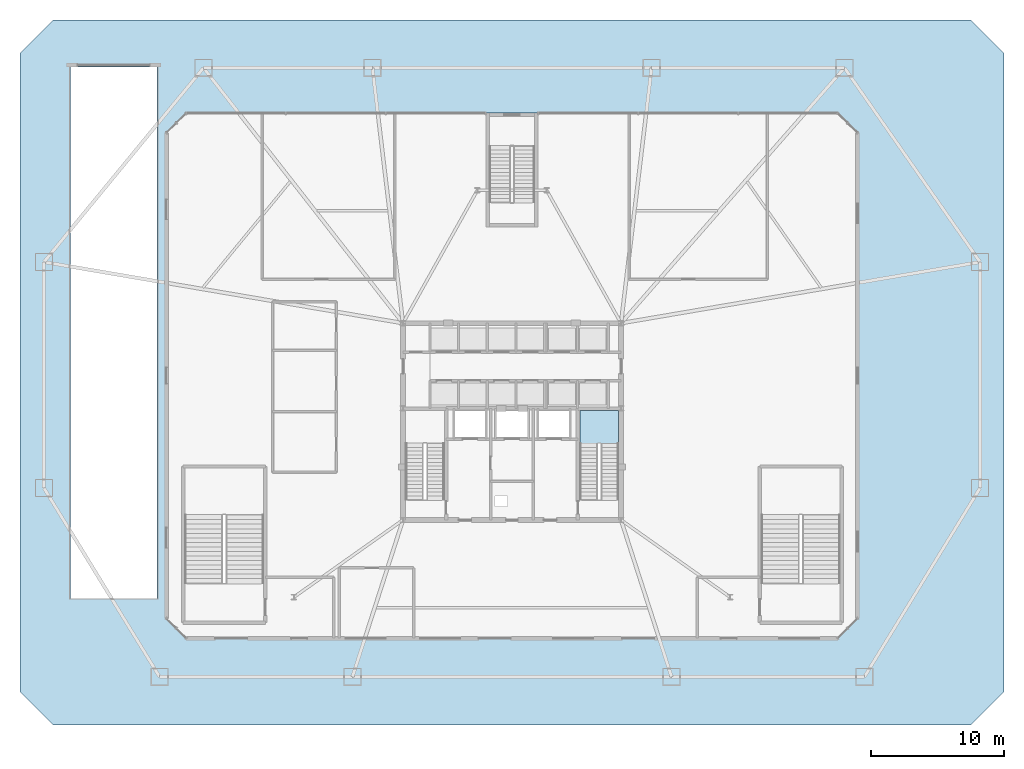
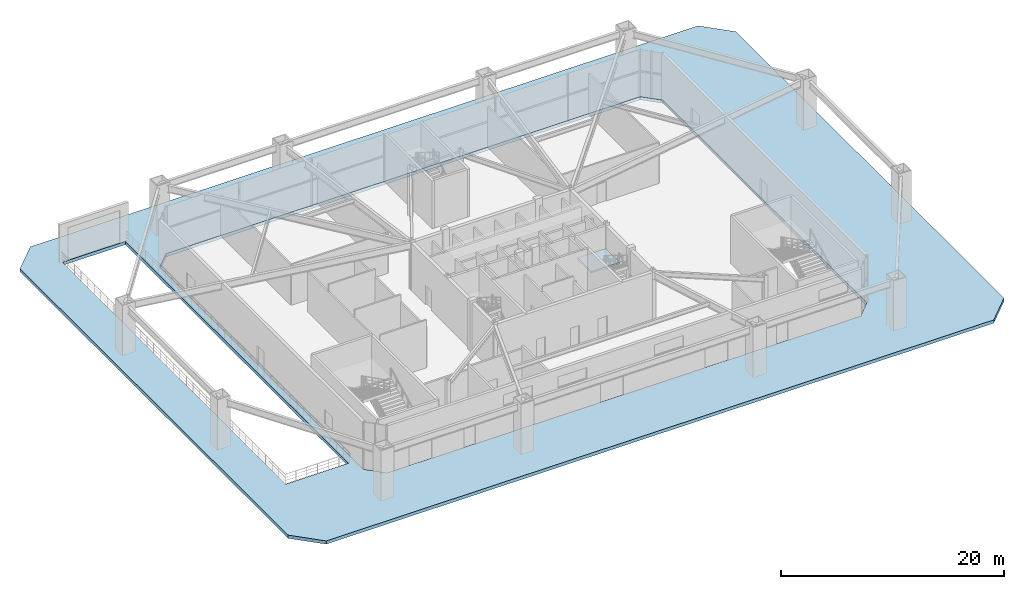
# One storey, part 13 of 20: 2 slabs, 1 element without a shape of its own.
"""IFC4 building model written with IfcOpenShell, lengths in metres."""

import ifcopenshell
import ifcopenshell.guid

model = None  # the IFC model being written
_history = None  # IfcOwnerHistory: only IFC2X3 demands one
_inside = {}  # id of a spatial element -> (the spatial element, [elements in it])
_under = {}  # id of a project, library or spatial element -> (it, [spatial elements below it])
_declared = {}  # id of a project -> (the project, [libraries it declares])
_typed = {}  # id of a type object -> (the type object, [elements of that type])
_made_of = {}  # id of a material, layer set ... -> (it, [elements and type objects made of it])


def new_model(schema):
    """Start an empty IFC model of exactly this schema.

    Asked for "IFC4X3", IfcOpenShell would pick the latest addendum, in which some entities
    have other attributes; the version numbers below select the first issue.
    IFC2X3 requires an IfcOwnerHistory on every rooted entity: one is made here for all.
    """
    global model, _history
    if schema == "IFC4X3":
        model = ifcopenshell.file(schema_version=(4, 3, 0, 0))
    else:
        model = ifcopenshell.file(schema=schema)
    _inside.clear()
    _under.clear()
    _declared.clear()
    _typed.clear()
    _made_of.clear()
    _history = None
    if model.schema == "IFC2X3":
        org = make("IfcOrganization", Name="unknown")
        user = make(
            "IfcPersonAndOrganization",
            ThePerson=make("IfcPerson", FamilyName="unknown"),
            TheOrganization=org,
        )
        app = make(
            "IfcApplication",
            ApplicationDeveloper=org,
            Version="unknown",
            ApplicationFullName="unknown",
            ApplicationIdentifier="unknown",
        )
        _history = make(
            "IfcOwnerHistory",
            OwningUser=user,
            OwningApplication=app,
            ChangeAction="ADDED",
            CreationDate=0,
        )
    return model


def make(cls, **values):
    """One entity of the class cls with the attributes given. An attribute that is None is left unset."""
    return model.create_entity(
        cls, **{name: value for name, value in values.items() if value is not None}
    )


def rooted(cls, **values):
    """An entity with a GlobalId (a new one), such as an element, a storey or a relation."""
    return make(cls, GlobalId=ifcopenshell.guid.new(), OwnerHistory=_history, **values)


def si_unit(unit_type, name, prefix=None):
    """IfcSIUnit, for example si_unit("LENGTHUNIT", "METRE", prefix="MILLI")."""
    return make("IfcSIUnit", UnitType=unit_type, Prefix=prefix, Name=name)


def assignment(units):
    """IfcUnitAssignment: the units of a project."""
    return None if units is None else make("IfcUnitAssignment", Units=units)


def point(xyz):
    """IfcCartesianPoint."""
    return None if xyz is None else make("IfcCartesianPoint", Coordinates=xyz)


def direction(xyz):
    """IfcDirection."""
    return None if xyz is None else make("IfcDirection", DirectionRatios=xyz)


def frame(location, z_axis=None, x_axis=None):
    """IfcAxis2Placement3D, a coordinate frame: its origin and axes. An axis left out is left unset."""
    return make(
        "IfcAxis2Placement3D",
        Location=point(location),
        Axis=direction(z_axis),
        RefDirection=direction(x_axis),
    )


def origin():
    """The frame at (0, 0, 0) with its axes left unset."""
    return frame((0.0, 0.0, 0.0))


def place(relative_to, where):
    """IfcLocalPlacement: puts the frame where relative to a parent placement (None: the world)."""
    return make(
        "IfcLocalPlacement", PlacementRelTo=relative_to, RelativePlacement=where
    )


def context(
    kind, dimensions, precision=None, world=None, true_north=None, identifier=None
):
    """IfcGeometricRepresentationContext, for example the 3D "Model" context."""
    return make(
        "IfcGeometricRepresentationContext",
        ContextIdentifier=identifier,
        ContextType=kind,
        CoordinateSpaceDimension=dimensions,
        Precision=precision,
        WorldCoordinateSystem=world,
        TrueNorth=true_north,
    )


def subcontext(parent, identifier, kind, view, scale=None):
    """IfcGeometricRepresentationSubContext, for example "Body" below "Model"."""
    return make(
        "IfcGeometricRepresentationSubContext",
        ContextIdentifier=identifier,
        ContextType=kind,
        ParentContext=parent,
        TargetScale=scale,
        TargetView=view,
    )


def project(units=None, contexts=None):
    """IfcProject with its units and contexts."""
    return rooted(
        "IfcProject",
        Name="project",
        RepresentationContexts=contexts,
        UnitsInContext=assignment(units),
    )


def spatial(cls, under=None, at=None, **own):
    """A site, building, storey or space (cls), placed at a placement, below another one or the project."""
    s = rooted(cls, ObjectPlacement=at, **own)
    if under is not None:
        _under.setdefault(under.id(), (under, []))[1].append(s)
    return s


def polyline(points):
    """IfcPolyline through the points."""
    return make("IfcPolyline", Points=[point(p) for p in points])


def outline(outer, holes=None, kind="AREA"):
    """IfcArbitraryClosedProfileDef: a profile drawn as a closed curve; with holes, ...WithVoids."""
    if holes is None:
        return make("IfcArbitraryClosedProfileDef", ProfileType=kind, OuterCurve=outer)
    return make(
        "IfcArbitraryProfileDefWithVoids",
        ProfileType=kind,
        OuterCurve=outer,
        InnerCurves=holes,
    )


def extrude(swept, where, along, depth):
    """IfcExtrudedAreaSolid: the profile swept, set in the frame where, extruded along a direction by depth."""
    return make(
        "IfcExtrudedAreaSolid",
        SweptArea=swept,
        Position=where,
        ExtrudedDirection=direction(along),
        Depth=depth,
    )


def shape(context_of_items, identifier, shape_type, items):
    """IfcShapeRepresentation: the items that make up one representation, for example the "Body"."""
    return make(
        "IfcShapeRepresentation",
        ContextOfItems=context_of_items,
        RepresentationIdentifier=identifier,
        RepresentationType=shape_type,
        Items=items,
    )


def material(Name=None, Category=None):
    """IfcMaterial."""
    return make("IfcMaterial", Name=Name, Category=Category)


def layer(
    of_material, thickness, ventilated=None, Name=None, Category=None, Priority=None
):
    """IfcMaterialLayer: one layer of a wall or slab, of a material (None: an air gap)."""
    return make(
        "IfcMaterialLayer",
        Material=of_material,
        LayerThickness=thickness,
        IsVentilated=ventilated,
        Name=Name,
        Category=Category,
        Priority=Priority,
    )


def layer_set(layers, Name=None):
    """IfcMaterialLayerSet."""
    return make("IfcMaterialLayerSet", MaterialLayers=layers, LayerSetName=Name)


def made_of(thing, what):
    """Note that an element or type object is made of a material, layer set ...; save() writes the relation."""
    if what is not None:
        _made_of.setdefault(what.id(), (what, []))[1].append(thing)
    return thing


def type_object(cls, material=None, **own):
    """A type object (cls), such as IfcWallType, which elements share."""
    return made_of(rooted(cls, **own), material)


def element(
    cls,
    number,
    at=None,
    inside=None,
    cuts=None,
    type_object=None,
    material=None,
    context=None,
    identifier="Body",
    shape_type=None,
    held_by="IfcProductDefinitionShape",
    body=None,
    shapes=None,
    **own,
):
    """One element of the class cls, such as IfcWall. Its Tag is "e" and its number.

    at: its placement. inside: the storey or other place that contains it. cuts: it is an
    opening in that element (IfcRelVoidsElement). A single representation is given by context,
    identifier, shape_type and body (its items); several are given by shapes. held_by: the class
    of the entity that holds the representations. save() writes the other relations.
    """
    e = rooted(cls, Tag="e%d" % number, ObjectPlacement=at, **own)
    if body is not None:
        shapes = [shape(context, identifier, shape_type, body)]
    if shapes is not None:
        e.Representation = make(held_by, Representations=shapes)
    if inside is not None:
        _inside.setdefault(inside.id(), (inside, []))[1].append(e)
    if cuts is not None:
        rooted(
            "IfcRelVoidsElement", RelatingBuildingElement=cuts, RelatedOpeningElement=e
        )
    if type_object is not None:
        _typed.setdefault(type_object.id(), (type_object, []))[1].append(e)
    return made_of(e, material)


def aggregate(whole, parts):
    """IfcRelAggregates: a whole, such as a stair, and the parts it consists of."""
    return rooted("IfcRelAggregates", RelatingObject=whole, RelatedObjects=parts)


def save(model, path):
    """Write the relations noted so far, then the file.

    IfcRelAggregates (storeys below a building ...), IfcRelContainedInSpatialStructure (elements
    in a storey), IfcRelDefinesByType, IfcRelAssociatesMaterial and IfcRelDeclares: one each for
    every whole, place, type object, material and project.
    """
    for whole, parts in _under.values():
        aggregate(whole, parts)
    for where, things in _inside.values():
        rooted(
            "IfcRelContainedInSpatialStructure",
            RelatedElements=things,
            RelatingStructure=where,
        )
    for kind, things in _typed.values():
        rooted("IfcRelDefinesByType", RelatedObjects=things, RelatingType=kind)
    for what, things in _made_of.values():
        rooted("IfcRelAssociatesMaterial", RelatedObjects=things, RelatingMaterial=what)
    for by, libraries in _declared.values():
        rooted("IfcRelDeclares", RelatingContext=by, RelatedDefinitions=libraries)
    model.write(path)


model = new_model("IFC4")

# Units and contexts
model_context = context("Model", 3, precision=1e-05, world=origin(), true_north=direction((0.0, 1.0)))
body_context = subcontext(model_context, "Body", "Model", "MODEL_VIEW")
ifc_project = project(units=[si_unit("LENGTHUNIT", "METRE"), si_unit("AREAUNIT", "SQUARE_METRE"), si_unit("VOLUMEUNIT", "CUBIC_METRE"), si_unit("PLANEANGLEUNIT", "RADIAN"), si_unit("MASSUNIT", "GRAM", prefix="KILO")], contexts=[model_context])

# Site, building, storey
site_placement = place(None, origin())
site = spatial("IfcSite", under=ifc_project, at=site_placement, CompositionType="ELEMENT")
building_placement = place(site_placement, origin())
building = spatial("IfcBuilding", under=site, at=building_placement, Name="Varakhsha Concourse Tower", CompositionType="ELEMENT")
storey_placement = place(building_placement, origin())
storey = spatial("IfcBuildingStorey", under=building, at=storey_placement, Name="L01", CompositionType="ELEMENT", Elevation=0.0)

# Stair, slab
ifc_material = material(Name="Concrete fc 45 MPa", Category="concrete")
stair_type = type_object("IfcStairType", Name="ST-DOGLEG-1360", PredefinedType="HALF_TURN_STAIR", material=ifc_material)
stair_placement = place(storey_placement, origin())
stair = element("IfcStair", 1, at=stair_placement, inside=storey, type_object=stair_type, Name="L01 Protected Exit Stair ST2", PredefinedType="HALF_TURN_STAIR")
ifc_layer_1 = layer(ifc_material, 0.199951171875, Name="SL-LAND-200")
ifc_layer_set_1 = layer_set([ifc_layer_1], Name="Concrete fc 45 MPa")
slab_type_1 = type_object("IfcSlabType", Name="SL-LAND-200", PredefinedType="LANDING", material=ifc_layer_set_1)
slab_1_placement = place(storey_placement, frame((0.0, 0.0, 2.550048828125)))
slab_1 = element("IfcSlab", 2, at=slab_1_placement, type_object=slab_type_1, Name="ST2 landing 1", PredefinedType="LANDING", context=body_context, shape_type="SweptSolid", body=[
    extrude(outline(polyline([(48.02001953125, 22.139892578125), (48.02001953125, 24.6298828125), (45.10009765625, 24.6298828125), (45.10009765625, 22.139892578125), (48.02001953125, 22.139892578125)])), origin(), (0.0, 0.0, 1.0), 0.199951171875),
])
aggregate(stair, [slab_1])

# Slab
ifc_layer_2 = layer(ifc_material, 0.35009765625, Name="SL-PLAZA-350")
ifc_layer_set_2 = layer_set([ifc_layer_2], Name="Concrete fc 45 MPa")
slab_type_2 = type_object("IfcSlabType", Name="SL-PLAZA-350", PredefinedType="USERDEFINED", material=ifc_layer_set_2)
slab_2_placement = place(storey_placement, frame((0.0, 0.0, -0.35009765625)))
element("IfcSlab", 3, at=slab_2_placement, inside=storey, type_object=slab_type_2, Name="Concourse Exterior Plaza Paving 1", ObjectType="PAVING", PredefinedType="USERDEFINED", context=body_context, shape_type="SweptSolid", body=[
    extrude(outline(polyline([(3.0, 51.5), (5.5, 54.0), (74.5, 54.0), (77.0, 51.5), (77.0, 3.5), (74.5, 1.0), (5.5, 1.0), (3.0, 3.5), (3.0, 51.5)]), holes=[polyline([(66.0, 9.0), (66.0, 45.5), (64.5, 47.0), (15.5, 47.0), (14.0, 45.5), (14.0, 9.0), (15.5, 7.5), (64.5, 7.5), (66.0, 9.0)]), polyline([(13.300048828125, 10.5), (13.300048828125, 50.47998046875), (6.800048828125, 50.47998046875), (6.800048828125, 10.5), (13.300048828125, 10.5)])]), origin(), (0.0, 0.0, 1.0), 0.35009765625),
])

save(model, "model.ifc")
